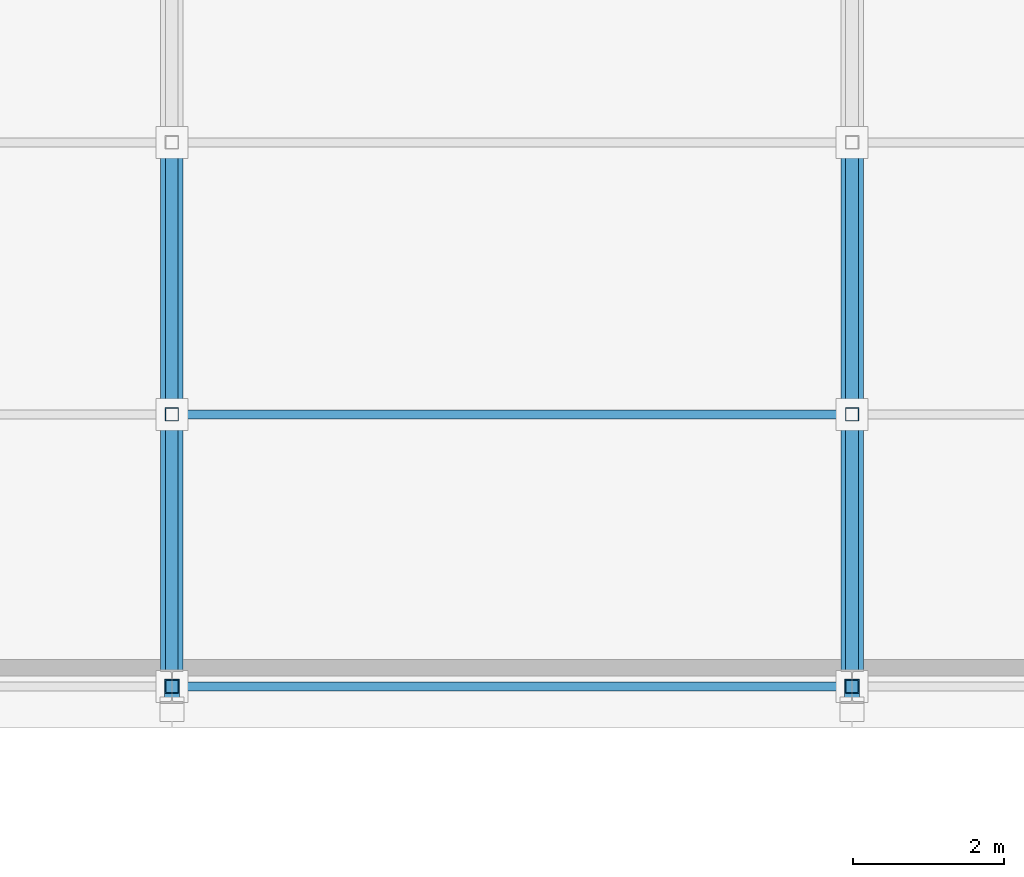
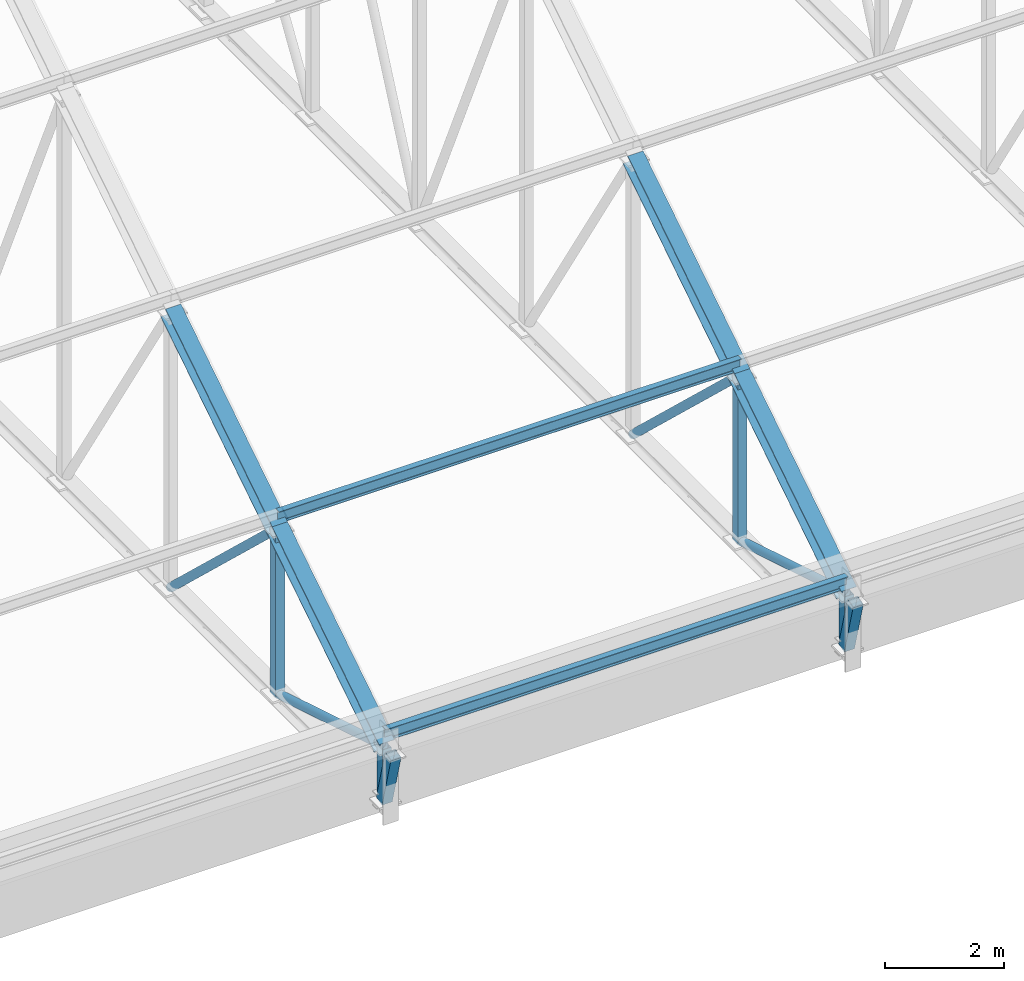
# One storey, part 98 of 182: 16 members.
"""IFC4 building model written with IfcOpenShell, lengths in metres."""

from ifc_helpers import new_model, si_unit, direction, frame, origin, origin_2d, place, context, subcontext, project, spatial, hollow_rectangle, hollow_circle, i_section, extrude, material, material_profile, profile_set, type_object, element, save


model = new_model("IFC4")

# Units and contexts
model_context = context("Model", 3, precision=1e-05, world=origin(), true_north=direction((0.0, 1.0)))
body_context = subcontext(model_context, "Body", "Model", "MODEL_VIEW")
ifc_project = project(units=[si_unit("LENGTHUNIT", "METRE"), si_unit("AREAUNIT", "SQUARE_METRE"), si_unit("VOLUMEUNIT", "CUBIC_METRE"), si_unit("PLANEANGLEUNIT", "RADIAN"), si_unit("MASSUNIT", "GRAM", prefix="KILO")], contexts=[model_context])

# Site, building, storey
site_placement = place(None, origin())
site = spatial("IfcSite", under=ifc_project, at=site_placement, CompositionType="ELEMENT")
building_placement = place(site_placement, origin())
building = spatial("IfcBuilding", under=site, at=building_placement, Name="Chiffa Square Polytechnic", CompositionType="ELEMENT")
storey_placement = place(building_placement, frame((0.0, 0.0, 9.60009765625)))
storey = spatial("IfcBuildingStorey", under=building, at=storey_placement, Name="L02", CompositionType="ELEMENT", Elevation=9.60009765625)

# Members
ifc_material = material(Name="Steel S355", Category="steel")
ifc_material_profile_1 = material_profile(ifc_material, i_section(OverallWidth=0.300048828125, OverallDepth=0.31005859375, WebThickness=0.009033203125, FlangeThickness=0.015380859375, FilletRadius=0.027099609375, at=origin_2d()), Name="HEA 320")
ifc_profile_set_1 = profile_set([ifc_material_profile_1], Name="Steel S355")
member_type_1 = type_object("IfcMemberType", Name="MEM-CHORD-HEA320", PredefinedType="CHORD", material=ifc_profile_set_1)
member_1_placement = place(storey_placement, frame((130.199951171875, 58.199951171875, 1.449951171875), z_axis=(0.0, 0.84269770024, 0.538387022512), x_axis=(-1.0, 0.0, 0.0)))
element("IfcMember", 1, at=member_1_placement, inside=storey, type_object=member_type_1, Name="Workshop roof truss top chord TCT-V2-03-01", PredefinedType="CHORD", context=body_context, shape_type="SweptSolid", body=[
    extrude(i_section(OverallWidth=0.300048828125, OverallDepth=0.31005859375, WebThickness=0.009033203125, FlangeThickness=0.015380859375, FilletRadius=0.027099609375, at=origin_2d()), origin(), (0.0, 0.0, 1.0), 4.272216796875),
])
member_2_placement = place(storey_placement, frame((130.199951171875, 61.800048828125, 3.75), z_axis=(0.0, 0.84270706373, 0.538372366248), x_axis=(-1.0, 0.0, 0.0)))
element("IfcMember", 2, at=member_2_placement, inside=storey, type_object=member_type_1, Name="Workshop roof truss top chord TCT-V2-03-02", PredefinedType="CHORD", context=body_context, shape_type="SweptSolid", body=[
    extrude(i_section(OverallWidth=0.300048828125, OverallDepth=0.31005859375, WebThickness=0.009033203125, FlangeThickness=0.015380859375, FilletRadius=0.027099609375, at=origin_2d()), origin(), (0.0, 0.0, 1.0), 4.271728515625),
])
member_3_placement = place(storey_placement, frame((139.199951171875, 58.199951171875, 1.449951171875), z_axis=(0.0, 0.84269770024, 0.538387022512), x_axis=(-1.0, 0.0, 0.0)))
element("IfcMember", 3, at=member_3_placement, inside=storey, type_object=member_type_1, Name="Workshop roof truss top chord TCT-V2-04-01", PredefinedType="CHORD", context=body_context, shape_type="SweptSolid", body=[
    extrude(i_section(OverallWidth=0.300048828125, OverallDepth=0.31005859375, WebThickness=0.009033203125, FlangeThickness=0.015380859375, FilletRadius=0.027099609375, at=origin_2d()), origin(), (0.0, 0.0, 1.0), 4.272216796875),
])
member_4_placement = place(storey_placement, frame((139.199951171875, 61.800048828125, 3.75), z_axis=(0.0, 0.84270706373, 0.538372366248), x_axis=(-1.0, 0.0, 0.0)))
element("IfcMember", 4, at=member_4_placement, inside=storey, type_object=member_type_1, Name="Workshop roof truss top chord TCT-V2-04-02", PredefinedType="CHORD", context=body_context, shape_type="SweptSolid", body=[
    extrude(i_section(OverallWidth=0.300048828125, OverallDepth=0.31005859375, WebThickness=0.009033203125, FlangeThickness=0.015380859375, FilletRadius=0.027099609375, at=origin_2d()), origin(), (0.0, 0.0, 1.0), 4.271728515625),
])
ifc_material_profile_2 = material_profile(ifc_material, i_section(OverallWidth=0.1201171875, OverallDepth=0.239990234375, WebThickness=0.006103515625, FlangeThickness=0.009765625, FilletRadius=0.014892578125, at=origin_2d()), Name="IPE 240")
ifc_profile_set_2 = profile_set([ifc_material_profile_2], Name="Steel S355")
member_type_2 = type_object("IfcMemberType", Name="MEM-PUR-IPE240", PredefinedType="PURLIN", material=ifc_profile_set_2)
for number, where, z_axis, x_axis, name in (
    (5, (130.199951171875, 58.199951171875, 1.699951171875), (1.0, 0.0, 0.0), (0.0, 1.0, 0.0), "Workshop steel roof purlin PU-V2-03-01"),
    (6, (130.199951171875, 61.800048828125, 4.0), (1.0, 0.0, 0.0), (0.0, 1.0, 0.0), "Workshop steel roof purlin PU-V2-03-02"),
):
    element("IfcMember", number, at=place(storey_placement, frame(where, z_axis=z_axis, x_axis=x_axis)), inside=storey, type_object=member_type_2, Name=name, PredefinedType="PURLIN", context=body_context, shape_type="SweptSolid", body=[
        extrude(i_section(OverallWidth=0.1201171875, OverallDepth=0.239990234375, WebThickness=0.006103515625, FlangeThickness=0.009765625, FilletRadius=0.014892578125, at=origin_2d()), origin(), (0.0, 0.0, 1.0), 9.0),
    ])
ifc_material_profile_3 = material_profile(ifc_material, hollow_rectangle(XDim=0.199951171875, YDim=0.199951171875, WallThickness=0.010009765625, at=origin_2d()), Name="RHS 200x200x10")
ifc_profile_set_3 = profile_set([ifc_material_profile_3], Name="Steel S355")
member_type_3 = type_object("IfcMemberType", Name="MEM-STRUT-RHS200", PredefinedType="STRUT", material=ifc_profile_set_3)
for number, where, z_axis, x_axis, name in (
    (7, (130.199951171875, 58.199951171875, 0.349853515625), (0.0, -0.263135522356, 0.964758880174), (1.0, 0.0, 0.0), "Eave outrigger strut OS-V2-S-03"),
    (8, (139.199951171875, 58.199951171875, 0.349853515625), (0.0, -0.263135522356, 0.964758880174), (1.0, 0.0, 0.0), "Eave outrigger strut OS-V2-S-04"),
):
    element("IfcMember", number, at=place(storey_placement, frame(where, z_axis=z_axis, x_axis=x_axis)), inside=storey, type_object=member_type_3, Name=name, PredefinedType="STRUT", context=body_context, shape_type="SweptSolid", body=[
        extrude(hollow_rectangle(XDim=0.199951171875, YDim=0.199951171875, WallThickness=0.010009765625, at=origin_2d()), origin(), (0.0, 0.0, 1.0), 1.140380859375),
    ])
ifc_material_profile_4 = material_profile(ifc_material, hollow_circle(Radius=0.084228515625, WallThickness=0.010009765625, at=origin_2d()), Name="CHS 168.3x10")
ifc_profile_set_4 = profile_set([ifc_material_profile_4], Name="Steel S355")
member_type_4 = type_object("IfcMemberType", Name="MEM-WEB-CHS168", PredefinedType="MEMBER", material=ifc_profile_set_4)
member_5_placement = place(storey_placement, frame((130.199951171875, 58.199951171875, 1.449951171875), z_axis=(0.0, 0.956346536322, -0.292235012388), x_axis=(-1.0, 0.0, 0.0)))
element("IfcMember", 9, at=member_5_placement, inside=storey, type_object=member_type_4, Name="Workshop roof truss diagonal TWD-V2-03-01", PredefinedType="MEMBER", context=body_context, shape_type="SweptSolid", body=[
    extrude(hollow_circle(Radius=0.084228515625, WallThickness=0.010009765625, at=origin_2d()), origin(), (0.0, 0.0, 1.0), 3.764404296875),
])
member_6_placement = place(storey_placement, frame((130.199951171875, 61.800048828125, 3.75), z_axis=(0.0, 0.726984438285, -0.686653935029), x_axis=(-1.0, 0.0, 0.0)))
element("IfcMember", 10, at=member_6_placement, inside=storey, type_object=member_type_4, Name="Workshop roof truss diagonal TWD-V2-03-02", PredefinedType="MEMBER", context=body_context, shape_type="SweptSolid", body=[
    extrude(hollow_circle(Radius=0.084228515625, WallThickness=0.010009765625, at=origin_2d()), origin(), (0.0, 0.0, 1.0), 4.95166015625),
])
member_7_placement = place(storey_placement, frame((139.199951171875, 58.199951171875, 1.449951171875), z_axis=(0.0, 0.956346536322, -0.292235012388), x_axis=(-1.0, 0.0, 0.0)))
element("IfcMember", 11, at=member_7_placement, inside=storey, type_object=member_type_4, Name="Workshop roof truss diagonal TWD-V2-04-01", PredefinedType="MEMBER", context=body_context, shape_type="SweptSolid", body=[
    extrude(hollow_circle(Radius=0.084228515625, WallThickness=0.010009765625, at=origin_2d()), origin(), (0.0, 0.0, 1.0), 3.764404296875),
])
member_8_placement = place(storey_placement, frame((139.199951171875, 61.800048828125, 3.75), z_axis=(0.0, 0.726984438285, -0.686653935029), x_axis=(-1.0, 0.0, 0.0)))
element("IfcMember", 12, at=member_8_placement, inside=storey, type_object=member_type_4, Name="Workshop roof truss diagonal TWD-V2-04-02", PredefinedType="MEMBER", context=body_context, shape_type="SweptSolid", body=[
    extrude(hollow_circle(Radius=0.084228515625, WallThickness=0.010009765625, at=origin_2d()), origin(), (0.0, 0.0, 1.0), 4.95166015625),
])
ifc_material_profile_5 = material_profile(ifc_material, hollow_rectangle(XDim=0.179931640625, YDim=0.179931640625, WallThickness=0.010009765625, at=origin_2d()), Name="RHS 180x180x10")
ifc_profile_set_5 = profile_set([ifc_material_profile_5], Name="Steel S355")
member_type_5 = type_object("IfcMemberType", Name="MEM-WEB-RHS180", PredefinedType="MEMBER", material=ifc_profile_set_5)
member_9_placement = place(storey_placement, frame((130.199951171875, 58.199951171875, 0.349853515625), z_axis=(0.0, 0.0, 1.0), x_axis=(1.0, 0.0, 0.0)))
element("IfcMember", 13, at=member_9_placement, inside=storey, type_object=member_type_5, Name="Workshop roof truss vertical TWV-V2-03-01", PredefinedType="MEMBER", context=body_context, shape_type="SweptSolid", body=[
    extrude(hollow_rectangle(XDim=0.179931640625, YDim=0.179931640625, WallThickness=0.010009765625, at=origin_2d()), origin(), (0.0, 0.0, 1.0), 1.10009765625),
])
member_10_placement = place(storey_placement, frame((130.199951171875, 61.800048828125, 0.349853515625), z_axis=(0.0, 0.0, 1.0), x_axis=(1.0, 0.0, 0.0)))
element("IfcMember", 14, at=member_10_placement, inside=storey, type_object=member_type_5, Name="Workshop roof truss vertical TWV-V2-03-02", PredefinedType="MEMBER", context=body_context, shape_type="SweptSolid", body=[
    extrude(hollow_rectangle(XDim=0.179931640625, YDim=0.179931640625, WallThickness=0.010009765625, at=origin_2d()), origin(), (0.0, 0.0, 1.0), 3.400146484375),
])
member_11_placement = place(storey_placement, frame((139.199951171875, 58.199951171875, 0.349853515625), z_axis=(0.0, 0.0, 1.0), x_axis=(1.0, 0.0, 0.0)))
element("IfcMember", 15, at=member_11_placement, inside=storey, type_object=member_type_5, Name="Workshop roof truss vertical TWV-V2-04-01", PredefinedType="MEMBER", context=body_context, shape_type="SweptSolid", body=[
    extrude(hollow_rectangle(XDim=0.179931640625, YDim=0.179931640625, WallThickness=0.010009765625, at=origin_2d()), origin(), (0.0, 0.0, 1.0), 1.10009765625),
])
member_12_placement = place(storey_placement, frame((139.199951171875, 61.800048828125, 0.349853515625), z_axis=(0.0, 0.0, 1.0), x_axis=(1.0, 0.0, 0.0)))
element("IfcMember", 16, at=member_12_placement, inside=storey, type_object=member_type_5, Name="Workshop roof truss vertical TWV-V2-04-02", PredefinedType="MEMBER", context=body_context, shape_type="SweptSolid", body=[
    extrude(hollow_rectangle(XDim=0.179931640625, YDim=0.179931640625, WallThickness=0.010009765625, at=origin_2d()), origin(), (0.0, 0.0, 1.0), 3.400146484375),
])

save(model, "model.ifc")
